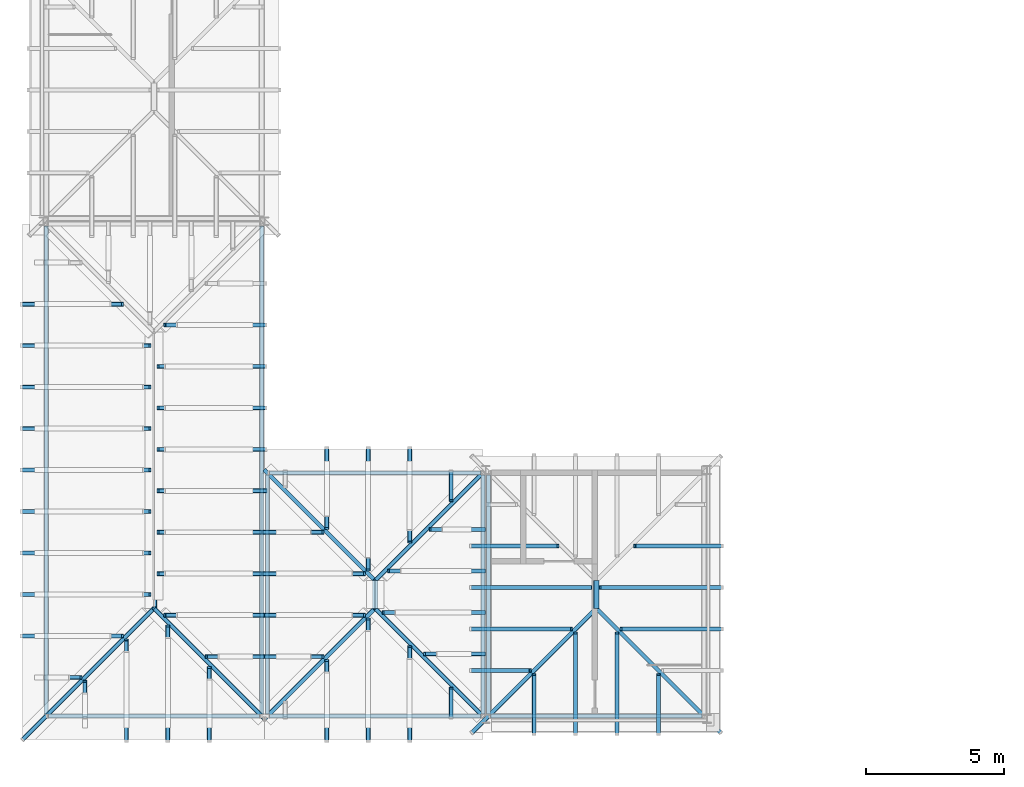
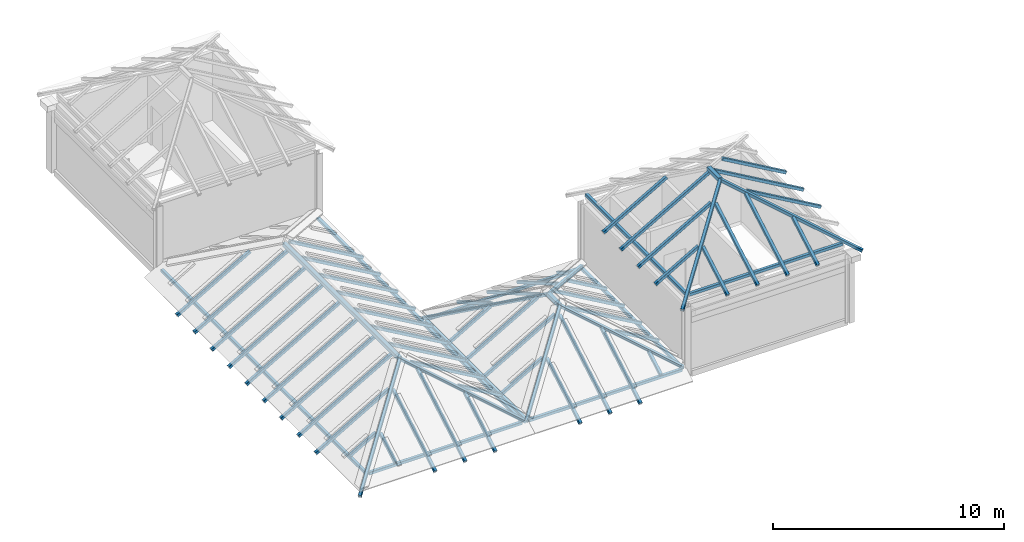
# One storey, part 15 of 111: 70 members.
"""IFC4 building model written with IfcOpenShell, lengths in metres."""

from ifc_helpers import new_model, si_unit, direction, frame, origin, origin_2d, place, context, subcontext, project, spatial, hollow_rectangle, extrude, material, material_profile, profile_set, type_object, element, save


model = new_model("IFC4")

# Units and contexts
model_context = context("Model", 3, precision=1e-05, world=origin(), true_north=direction((0.0, 1.0)))
body_context = subcontext(model_context, "Body", "Model", "MODEL_VIEW")
ifc_project = project(units=[si_unit("LENGTHUNIT", "METRE"), si_unit("AREAUNIT", "SQUARE_METRE"), si_unit("VOLUMEUNIT", "CUBIC_METRE"), si_unit("PLANEANGLEUNIT", "RADIAN"), si_unit("MASSUNIT", "GRAM", prefix="KILO")], contexts=[model_context])

# Site, building, storey
site_placement = place(None, origin())
site = spatial("IfcSite", under=ifc_project, at=site_placement, CompositionType="ELEMENT")
building_placement = place(site_placement, origin())
building = spatial("IfcBuilding", under=site, at=building_placement, Name="Kallimachos Central Library", CompositionType="ELEMENT")
storey_placement = place(building_placement, frame((0.0, 0.0, 14.39990234375)))
storey = spatial("IfcBuildingStorey", under=building, at=storey_placement, Name="L03", CompositionType="ELEMENT", Elevation=14.39990234375)

# Members
ifc_material_1 = material(Name="Steel S355J2H", Category="steel")
ifc_material_profile_1 = material_profile(ifc_material_1, hollow_rectangle(XDim=0.14990234375, YDim=0.14990234375, WallThickness=0.010009765625, InnerFilletRadius=0.010009765625, OuterFilletRadius=0.014892578125, at=origin_2d()), Name="SHS 150x150x10")
ifc_profile_set_1 = profile_set([ifc_material_profile_1], Name="Steel S355J2H")
member_type_1 = type_object("IfcMemberType", Name="SHS 150x150x10 eaves bearer", PredefinedType="STRINGER", material=ifc_profile_set_1)
member_1_placement = place(storey_placement, frame((6.175048828125, 9.10009765625, 0.22509765625), z_axis=(1.0, 0.0, 0.0), x_axis=(0.0, 1.0, 0.0)))
element("IfcMember", 1, at=member_1_placement, inside=storey, type_object=member_type_1, Name="R2 eaves bearer S", PredefinedType="STRINGER", context=body_context, shape_type="SweptSolid", body=[
    extrude(hollow_rectangle(XDim=0.14990234375, YDim=0.14990234375, WallThickness=0.010009765625, InnerFilletRadius=0.010009765625, OuterFilletRadius=0.014892578125, at=origin_2d()), origin(), (0.0, 0.0, 1.0), 7.64990234375),
])
for number, where, z_axis, x_axis, name in (
    (2, (6.10009765625, 9.175048828125, 0.22509765625), (0.0, 1.0, 0.0), (-1.0, 0.0, 0.0), "R2 eaves bearer W"),
    (3, (13.89990234375, 9.175048828125, 0.22509765625), (0.0, 1.0, 0.0), (-1.0, 0.0, 0.0), "R2 eaves bearer E"),
):
    element("IfcMember", number, at=place(storey_placement, frame(where, z_axis=z_axis, x_axis=x_axis)), inside=storey, type_object=member_type_1, Name=name, PredefinedType="STRINGER", context=body_context, shape_type="SweptSolid", body=[
        extrude(hollow_rectangle(XDim=0.14990234375, YDim=0.14990234375, WallThickness=0.010009765625, InnerFilletRadius=0.010009765625, OuterFilletRadius=0.014892578125, at=origin_2d()), origin(), (0.0, 0.0, 1.0), 17.64990234375),
    ])
for number, where, z_axis, x_axis, name in (
    (4, (14.175048828125, 9.10009765625, 0.22509765625), (1.0, 0.0, 0.0), (0.0, 1.0, 0.0), "R1 eaves bearer S"),
    (5, (14.175048828125, 17.89990234375, 0.22509765625), (1.0, 0.0, 0.0), (0.0, 1.0, 0.0), "R1 eaves bearer N"),
):
    element("IfcMember", number, at=place(storey_placement, frame(where, z_axis=z_axis, x_axis=x_axis)), inside=storey, type_object=member_type_1, Name=name, PredefinedType="STRINGER", context=body_context, shape_type="SweptSolid", body=[
        extrude(hollow_rectangle(XDim=0.14990234375, YDim=0.14990234375, WallThickness=0.010009765625, InnerFilletRadius=0.010009765625, OuterFilletRadius=0.014892578125, at=origin_2d()), origin(), (0.0, 0.0, 1.0), 7.64990234375),
    ])
for number, where, z_axis, x_axis, name in (
    (6, (14.10009765625, 9.175048828125, 0.22509765625), (0.0, 1.0, 0.0), (-1.0, 0.0, 0.0), "R1 eaves bearer W"),
    (7, (21.89990234375, 9.175048828125, 0.22509765625), (0.0, 1.0, 0.0), (-1.0, 0.0, 0.0), "R1 eaves bearer E"),
):
    element("IfcMember", number, at=place(storey_placement, frame(where, z_axis=z_axis, x_axis=x_axis)), inside=storey, type_object=member_type_1, Name=name, PredefinedType="STRINGER", context=body_context, shape_type="SweptSolid", body=[
        extrude(hollow_rectangle(XDim=0.14990234375, YDim=0.14990234375, WallThickness=0.010009765625, InnerFilletRadius=0.010009765625, OuterFilletRadius=0.014892578125, at=origin_2d()), origin(), (0.0, 0.0, 1.0), 8.64990234375),
    ])
member_2_placement = place(storey_placement, frame((22.175048828125, 9.10009765625, 4.0751953125), z_axis=(1.0, 0.0, 0.0), x_axis=(0.0, 1.0, 0.0)))
element("IfcMember", 8, at=member_2_placement, inside=storey, type_object=member_type_1, Name="R3 eaves bearer S", PredefinedType="STRINGER", context=body_context, shape_type="SweptSolid", body=[
    extrude(hollow_rectangle(XDim=0.14990234375, YDim=0.14990234375, WallThickness=0.010009765625, InnerFilletRadius=0.010009765625, OuterFilletRadius=0.014892578125, at=origin_2d()), origin(), (0.0, 0.0, 1.0), 7.64990234375),
])
member_3_placement = place(storey_placement, frame((22.10009765625, 9.175048828125, 4.0751953125), z_axis=(0.0, 1.0, 0.0), x_axis=(-1.0, 0.0, 0.0)))
element("IfcMember", 9, at=member_3_placement, inside=storey, type_object=member_type_1, Name="R3 eaves bearer W", PredefinedType="STRINGER", context=body_context, shape_type="SweptSolid", body=[
    extrude(hollow_rectangle(XDim=0.14990234375, YDim=0.14990234375, WallThickness=0.010009765625, InnerFilletRadius=0.010009765625, OuterFilletRadius=0.014892578125, at=origin_2d()), origin(), (0.0, 0.0, 1.0), 8.64990234375),
])
ifc_material_2 = material(Name="Steel S355J2H", Category="steel")
ifc_material_profile_2 = material_profile(ifc_material_2, hollow_rectangle(XDim=0.14990234375, YDim=0.14990234375, WallThickness=0.010009765625, InnerFilletRadius=0.010009765625, OuterFilletRadius=0.014892578125, at=origin_2d()), Name="SHS 150x150x10")
ifc_profile_set_2 = profile_set([ifc_material_profile_2], Name="Steel S355J2H")
member_type_2 = type_object("IfcMemberType", Name="SHS 150x150x10 rafter", PredefinedType="RAFTER", material=ifc_profile_set_2)
member_4_placement = place(storey_placement, frame((7.5, 9.050048828125, 0.35791015625), z_axis=(0.0, 0.866029704776, 0.49999255039), x_axis=(-1.0, 0.0, 0.0)))
element("IfcMember", 10, at=member_4_placement, inside=storey, type_object=member_type_2, Name="R2 rafter", PredefinedType="RAFTER", context=body_context, shape_type="SweptSolid", body=[
    extrude(hollow_rectangle(XDim=0.14990234375, YDim=0.14990234375, WallThickness=0.010009765625, InnerFilletRadius=0.010009765625, OuterFilletRadius=0.014892578125, at=origin_2d()), origin(), (0.0, 0.0, 1.0), 1.5126953125),
])
member_5_placement = place(storey_placement, frame((9.0, 8.199951171875, -0.1328125), z_axis=(0.0, 0.866041293005, 0.499972478052), x_axis=(-1.0, 0.0, 0.0)))
element("IfcMember", 11, at=member_5_placement, inside=storey, type_object=member_type_2, Name="R2 rafter", PredefinedType="RAFTER", context=body_context, shape_type="SweptSolid", body=[
    extrude(hollow_rectangle(XDim=0.14990234375, YDim=0.14990234375, WallThickness=0.010009765625, InnerFilletRadius=0.010009765625, OuterFilletRadius=0.014892578125, at=origin_2d()), origin(), (0.0, 0.0, 1.0), 4.226318359375),
])
member_6_placement = place(storey_placement, frame((10.5, 8.199951171875, -0.1328125), z_axis=(0.0, 0.866048479775, 0.499960029081), x_axis=(-1.0, 0.0, 0.0)))
element("IfcMember", 12, at=member_6_placement, inside=storey, type_object=member_type_2, Name="R2 rafter", PredefinedType="RAFTER", context=body_context, shape_type="SweptSolid", body=[
    extrude(hollow_rectangle(XDim=0.14990234375, YDim=0.14990234375, WallThickness=0.010009765625, InnerFilletRadius=0.010009765625, OuterFilletRadius=0.014892578125, at=origin_2d()), origin(), (0.0, 0.0, 1.0), 4.8037109375),
])
member_7_placement = place(storey_placement, frame((12.0, 8.199951171875, -0.1328125), z_axis=(0.0, 0.866053230054, 0.499951800389), x_axis=(-1.0, 0.0, 0.0)))
element("IfcMember", 13, at=member_7_placement, inside=storey, type_object=member_type_2, Name="R2 rafter", PredefinedType="RAFTER", context=body_context, shape_type="SweptSolid", body=[
    extrude(hollow_rectangle(XDim=0.14990234375, YDim=0.14990234375, WallThickness=0.010009765625, InnerFilletRadius=0.010009765625, OuterFilletRadius=0.014892578125, at=origin_2d()), origin(), (0.0, 0.0, 1.0), 3.071533203125),
])
member_8_placement = place(storey_placement, frame((6.050048828125, 10.5, 0.35791015625), z_axis=(0.866029704776, 0.0, 0.49999255039), x_axis=(0.0, 1.0, 0.0)))
element("IfcMember", 14, at=member_8_placement, inside=storey, type_object=member_type_2, Name="R2 rafter", PredefinedType="RAFTER", context=body_context, shape_type="SweptSolid", body=[
    extrude(hollow_rectangle(XDim=0.14990234375, YDim=0.14990234375, WallThickness=0.010009765625, InnerFilletRadius=0.010009765625, OuterFilletRadius=0.014892578125, at=origin_2d()), origin(), (0.0, 0.0, 1.0), 1.5126953125),
])
member_9_placement = place(storey_placement, frame((5.199951171875, 12.0, -0.1328125), z_axis=(0.866041293005, 0.0, 0.499972478052), x_axis=(0.0, 1.0, 0.0)))
element("IfcMember", 15, at=member_9_placement, inside=storey, type_object=member_type_2, Name="R2 rafter", PredefinedType="RAFTER", context=body_context, shape_type="SweptSolid", body=[
    extrude(hollow_rectangle(XDim=0.14990234375, YDim=0.14990234375, WallThickness=0.010009765625, InnerFilletRadius=0.010009765625, OuterFilletRadius=0.014892578125, at=origin_2d()), origin(), (0.0, 0.0, 1.0), 4.226318359375),
])
for number, where, z_axis, x_axis, name in (
    (16, (5.199951171875, 13.5, -0.1328125), (0.866034478908, 0.0, 0.499984281096), (0.0, 1.0, 0.0), "R2 rafter"),
    (17, (5.199951171875, 15.0, -0.1328125), (0.866034478908, 0.0, 0.499984281096), (0.0, 1.0, 0.0), "R2 rafter"),
    (18, (5.199951171875, 16.5, -0.1328125), (0.866034478908, 0.0, 0.499984281096), (0.0, 1.0, 0.0), "R2 rafter"),
    (19, (5.199951171875, 18.0, -0.1328125), (0.866034478908, 0.0, 0.499984281096), (0.0, 1.0, 0.0), "R2 rafter"),
    (20, (5.199951171875, 19.5, -0.1328125), (0.866034478908, 0.0, 0.499984281096), (0.0, 1.0, 0.0), "R2 rafter"),
    (21, (5.199951171875, 21.0, -0.1328125), (0.866034478908, 0.0, 0.499984281096), (0.0, 1.0, 0.0), "R2 rafter"),
    (22, (5.199951171875, 22.5, -0.1328125), (0.866034478908, 0.0, 0.499984281096), (0.0, 1.0, 0.0), "R2 rafter"),
):
    element("IfcMember", number, at=place(storey_placement, frame(where, z_axis=z_axis, x_axis=x_axis)), inside=storey, type_object=member_type_2, Name=name, PredefinedType="RAFTER", context=body_context, shape_type="SweptSolid", body=[
        extrude(hollow_rectangle(XDim=0.14990234375, YDim=0.14990234375, WallThickness=0.010009765625, InnerFilletRadius=0.010009765625, OuterFilletRadius=0.014892578125, at=origin_2d()), origin(), (0.0, 0.0, 1.0), 5.381103515625),
    ])
member_10_placement = place(storey_placement, frame((5.199951171875, 24.0, -0.1328125), z_axis=(0.866041293005, 0.0, 0.499972478052), x_axis=(0.0, 1.0, 0.0)))
element("IfcMember", 23, at=member_10_placement, inside=storey, type_object=member_type_2, Name="R2 rafter", PredefinedType="RAFTER", context=body_context, shape_type="SweptSolid", body=[
    extrude(hollow_rectangle(XDim=0.14990234375, YDim=0.14990234375, WallThickness=0.010009765625, InnerFilletRadius=0.010009765625, OuterFilletRadius=0.014892578125, at=origin_2d()), origin(), (0.0, 0.0, 1.0), 4.226318359375),
])
member_11_placement = place(storey_placement, frame((14.050048828125, 11.25, 0.300048828125), z_axis=(-0.866042152399, 0.0, 0.499970989427), x_axis=(0.0, -1.0, 0.0)))
element("IfcMember", 24, at=member_11_placement, inside=storey, type_object=member_type_2, Name="R2 rafter", PredefinedType="RAFTER", context=body_context, shape_type="SweptSolid", body=[
    extrude(hollow_rectangle(XDim=0.14990234375, YDim=0.14990234375, WallThickness=0.010009765625, InnerFilletRadius=0.010009765625, OuterFilletRadius=0.014892578125, at=origin_2d()), origin(), (0.0, 0.0, 1.0), 2.494384765625),
])
member_12_placement = place(storey_placement, frame((14.050048828125, 12.75, 0.300048828125), z_axis=(-0.866041293005, 0.0, 0.499972478052), x_axis=(0.0, -1.0, 0.0)))
element("IfcMember", 25, at=member_12_placement, inside=storey, type_object=member_type_2, Name="R2 rafter", PredefinedType="RAFTER", context=body_context, shape_type="SweptSolid", body=[
    extrude(hollow_rectangle(XDim=0.14990234375, YDim=0.14990234375, WallThickness=0.010009765625, InnerFilletRadius=0.010009765625, OuterFilletRadius=0.014892578125, at=origin_2d()), origin(), (0.0, 0.0, 1.0), 4.226318359375),
])
for number, where, z_axis, x_axis, name in (
    (26, (14.050048828125, 14.25, 0.300048828125), (-0.866021702275, 0.0, 0.500006411147), (0.0, -1.0, 0.0), "R2 rafter"),
    (27, (14.050048828125, 15.75, 0.300048828125), (-0.866021702275, 0.0, 0.500006411147), (0.0, -1.0, 0.0), "R2 rafter"),
    (28, (14.050048828125, 17.25, 0.300048828125), (-0.866021702275, 0.0, 0.500006411147), (0.0, -1.0, 0.0), "R2 rafter"),
    (29, (14.050048828125, 18.75, 0.300048828125), (-0.866021702275, 0.0, 0.500006411147), (0.0, -1.0, 0.0), "R2 rafter"),
    (30, (14.050048828125, 20.25, 0.300048828125), (-0.866021702275, 0.0, 0.500006411147), (0.0, -1.0, 0.0), "R2 rafter"),
    (31, (14.050048828125, 21.75, 0.300048828125), (-0.866021702275, 0.0, 0.500006411147), (0.0, -1.0, 0.0), "R2 rafter"),
):
    element("IfcMember", number, at=place(storey_placement, frame(where, z_axis=z_axis, x_axis=x_axis)), inside=storey, type_object=member_type_2, Name=name, PredefinedType="RAFTER", context=body_context, shape_type="SweptSolid", body=[
        extrude(hollow_rectangle(XDim=0.14990234375, YDim=0.14990234375, WallThickness=0.010009765625, InnerFilletRadius=0.010009765625, OuterFilletRadius=0.014892578125, at=origin_2d()), origin(), (0.0, 0.0, 1.0), 4.51513671875),
    ])
member_13_placement = place(storey_placement, frame((14.050048828125, 23.25, 0.300048828125), z_axis=(-0.866041293005, 0.0, 0.499972478052), x_axis=(0.0, -1.0, 0.0)))
element("IfcMember", 32, at=member_13_placement, inside=storey, type_object=member_type_2, Name="R2 rafter", PredefinedType="RAFTER", context=body_context, shape_type="SweptSolid", body=[
    extrude(hollow_rectangle(XDim=0.14990234375, YDim=0.14990234375, WallThickness=0.010009765625, InnerFilletRadius=0.010009765625, OuterFilletRadius=0.014892578125, at=origin_2d()), origin(), (0.0, 0.0, 1.0), 4.226318359375),
])
member_14_placement = place(storey_placement, frame((16.25, 8.199951171875, -0.1328125), z_axis=(0.0, 0.86605734139, 0.499944678364), x_axis=(-1.0, 0.0, 0.0)))
element("IfcMember", 33, at=member_14_placement, inside=storey, type_object=member_type_2, Name="R1 rafter", PredefinedType="RAFTER", context=body_context, shape_type="SweptSolid", body=[
    extrude(hollow_rectangle(XDim=0.14990234375, YDim=0.14990234375, WallThickness=0.010009765625, InnerFilletRadius=0.010009765625, OuterFilletRadius=0.014892578125, at=origin_2d()), origin(), (0.0, 0.0, 1.0), 3.3603515625),
])
member_15_placement = place(storey_placement, frame((17.75, 8.199951171875, -0.1328125), z_axis=(0.0, 0.866051462044, 0.499954863054), x_axis=(-1.0, 0.0, 0.0)))
element("IfcMember", 34, at=member_15_placement, inside=storey, type_object=member_type_2, Name="R1 rafter", PredefinedType="RAFTER", context=body_context, shape_type="SweptSolid", body=[
    extrude(hollow_rectangle(XDim=0.14990234375, YDim=0.14990234375, WallThickness=0.010009765625, InnerFilletRadius=0.010009765625, OuterFilletRadius=0.014892578125, at=origin_2d()), origin(), (0.0, 0.0, 1.0), 5.09228515625),
])
member_16_placement = place(storey_placement, frame((19.25, 8.199951171875, -0.1328125), z_axis=(0.0, 0.866036909293, 0.499980071345), x_axis=(-1.0, 0.0, 0.0)))
element("IfcMember", 35, at=member_16_placement, inside=storey, type_object=member_type_2, Name="R1 rafter", PredefinedType="RAFTER", context=body_context, shape_type="SweptSolid", body=[
    extrude(hollow_rectangle(XDim=0.14990234375, YDim=0.14990234375, WallThickness=0.010009765625, InnerFilletRadius=0.010009765625, OuterFilletRadius=0.014892578125, at=origin_2d()), origin(), (0.0, 0.0, 1.0), 3.937744140625),
])
member_17_placement = place(storey_placement, frame((20.75, 9.050048828125, 0.35791015625), z_axis=(0.0, 0.866099232005, 0.499872103963), x_axis=(-1.0, 0.0, 0.0)))
element("IfcMember", 36, at=member_17_placement, inside=storey, type_object=member_type_2, Name="R1 rafter", PredefinedType="RAFTER", context=body_context, shape_type="SweptSolid", body=[
    extrude(hollow_rectangle(XDim=0.14990234375, YDim=0.14990234375, WallThickness=0.010009765625, InnerFilletRadius=0.010009765625, OuterFilletRadius=0.014892578125, at=origin_2d()), origin(), (0.0, 0.0, 1.0), 1.223876953125),
])
member_18_placement = place(storey_placement, frame((16.25, 18.800048828125, -0.1328125), z_axis=(0.0, -0.86605734139, 0.499944678364), x_axis=(1.0, 0.0, 0.0)))
element("IfcMember", 37, at=member_18_placement, inside=storey, type_object=member_type_2, Name="R1 rafter", PredefinedType="RAFTER", context=body_context, shape_type="SweptSolid", body=[
    extrude(hollow_rectangle(XDim=0.14990234375, YDim=0.14990234375, WallThickness=0.010009765625, InnerFilletRadius=0.010009765625, OuterFilletRadius=0.014892578125, at=origin_2d()), origin(), (0.0, 0.0, 1.0), 3.3603515625),
])
member_19_placement = place(storey_placement, frame((17.75, 18.800048828125, -0.1328125), z_axis=(0.0, -0.866051462044, 0.499954863054), x_axis=(1.0, 0.0, 0.0)))
element("IfcMember", 38, at=member_19_placement, inside=storey, type_object=member_type_2, Name="R1 rafter", PredefinedType="RAFTER", context=body_context, shape_type="SweptSolid", body=[
    extrude(hollow_rectangle(XDim=0.14990234375, YDim=0.14990234375, WallThickness=0.010009765625, InnerFilletRadius=0.010009765625, OuterFilletRadius=0.014892578125, at=origin_2d()), origin(), (0.0, 0.0, 1.0), 5.09228515625),
])
member_20_placement = place(storey_placement, frame((19.25, 18.800048828125, -0.1328125), z_axis=(0.0, -0.866036909293, 0.499980071345), x_axis=(1.0, 0.0, 0.0)))
element("IfcMember", 39, at=member_20_placement, inside=storey, type_object=member_type_2, Name="R1 rafter", PredefinedType="RAFTER", context=body_context, shape_type="SweptSolid", body=[
    extrude(hollow_rectangle(XDim=0.14990234375, YDim=0.14990234375, WallThickness=0.010009765625, InnerFilletRadius=0.010009765625, OuterFilletRadius=0.014892578125, at=origin_2d()), origin(), (0.0, 0.0, 1.0), 3.937744140625),
])
member_21_placement = place(storey_placement, frame((20.75, 17.949951171875, 0.35791015625), z_axis=(0.0, -0.866099232005, 0.499872103963), x_axis=(1.0, 0.0, 0.0)))
element("IfcMember", 40, at=member_21_placement, inside=storey, type_object=member_type_2, Name="R1 rafter", PredefinedType="RAFTER", context=body_context, shape_type="SweptSolid", body=[
    extrude(hollow_rectangle(XDim=0.14990234375, YDim=0.14990234375, WallThickness=0.010009765625, InnerFilletRadius=0.010009765625, OuterFilletRadius=0.014892578125, at=origin_2d()), origin(), (0.0, 0.0, 1.0), 1.223876953125),
])
member_22_placement = place(storey_placement, frame((13.949951171875, 11.25, 0.300048828125), z_axis=(0.866042152399, 0.0, 0.499970989427), x_axis=(0.0, 1.0, 0.0)))
element("IfcMember", 41, at=member_22_placement, inside=storey, type_object=member_type_2, Name="R1 rafter", PredefinedType="RAFTER", context=body_context, shape_type="SweptSolid", body=[
    extrude(hollow_rectangle(XDim=0.14990234375, YDim=0.14990234375, WallThickness=0.010009765625, InnerFilletRadius=0.010009765625, OuterFilletRadius=0.014892578125, at=origin_2d()), origin(), (0.0, 0.0, 1.0), 2.494384765625),
])
for number, where, z_axis, x_axis, name in (
    (42, (13.949951171875, 12.75, 0.300048828125), (0.866041293005, 0.0, 0.499972478052), (0.0, 1.0, 0.0), "R1 rafter"),
    (43, (13.949951171875, 14.25, 0.300048828125), (0.866041293005, 0.0, 0.499972478052), (0.0, 1.0, 0.0), "R1 rafter"),
):
    element("IfcMember", number, at=place(storey_placement, frame(where, z_axis=z_axis, x_axis=x_axis)), inside=storey, type_object=member_type_2, Name=name, PredefinedType="RAFTER", context=body_context, shape_type="SweptSolid", body=[
        extrude(hollow_rectangle(XDim=0.14990234375, YDim=0.14990234375, WallThickness=0.010009765625, InnerFilletRadius=0.010009765625, OuterFilletRadius=0.014892578125, at=origin_2d()), origin(), (0.0, 0.0, 1.0), 4.226318359375),
    ])
member_23_placement = place(storey_placement, frame((13.949951171875, 15.75, 0.300048828125), z_axis=(0.866042152399, 0.0, 0.499970989427), x_axis=(0.0, 1.0, 0.0)))
element("IfcMember", 44, at=member_23_placement, inside=storey, type_object=member_type_2, Name="R1 rafter", PredefinedType="RAFTER", context=body_context, shape_type="SweptSolid", body=[
    extrude(hollow_rectangle(XDim=0.14990234375, YDim=0.14990234375, WallThickness=0.010009765625, InnerFilletRadius=0.010009765625, OuterFilletRadius=0.014892578125, at=origin_2d()), origin(), (0.0, 0.0, 1.0), 2.494384765625),
])
member_24_placement = place(storey_placement, frame((21.949951171875, 11.35009765625, 0.35791015625), z_axis=(-0.866017682129, 0.0, 0.500013374061), x_axis=(0.0, -1.0, 0.0)))
element("IfcMember", 45, at=member_24_placement, inside=storey, type_object=member_type_2, Name="R1 rafter", PredefinedType="RAFTER", context=body_context, shape_type="SweptSolid", body=[
    extrude(hollow_rectangle(XDim=0.14990234375, YDim=0.14990234375, WallThickness=0.010009765625, InnerFilletRadius=0.010009765625, OuterFilletRadius=0.014892578125, at=origin_2d()), origin(), (0.0, 0.0, 1.0), 2.494140625),
])
member_25_placement = place(storey_placement, frame((21.949951171875, 12.85009765625, 0.35791015625), z_axis=(-0.866026851788, 0.0, 0.499997491977), x_axis=(0.0, -1.0, 0.0)))
element("IfcMember", 46, at=member_25_placement, inside=storey, type_object=member_type_2, Name="R1 rafter", PredefinedType="RAFTER", context=body_context, shape_type="SweptSolid", body=[
    extrude(hollow_rectangle(XDim=0.14990234375, YDim=0.14990234375, WallThickness=0.010009765625, InnerFilletRadius=0.010009765625, OuterFilletRadius=0.014892578125, at=origin_2d()), origin(), (0.0, 0.0, 1.0), 4.22607421875),
])
member_26_placement = place(storey_placement, frame((21.949951171875, 14.35009765625, 0.35791015625), z_axis=(-0.866030907973, 0.0, 0.499990466345), x_axis=(0.0, -1.0, 0.0)))
element("IfcMember", 47, at=member_26_placement, inside=storey, type_object=member_type_2, Name="R1 rafter", PredefinedType="RAFTER", context=body_context, shape_type="SweptSolid", body=[
    extrude(hollow_rectangle(XDim=0.14990234375, YDim=0.14990234375, WallThickness=0.010009765625, InnerFilletRadius=0.010009765625, OuterFilletRadius=0.014892578125, at=origin_2d()), origin(), (0.0, 0.0, 1.0), 3.9951171875),
])
member_27_placement = place(storey_placement, frame((21.949951171875, 15.85009765625, 0.35791015625), z_axis=(-0.866023907196, 0.0, 0.500002592159), x_axis=(0.0, -1.0, 0.0)))
element("IfcMember", 48, at=member_27_placement, inside=storey, type_object=member_type_2, Name="R1 rafter", PredefinedType="RAFTER", context=body_context, shape_type="SweptSolid", body=[
    extrude(hollow_rectangle(XDim=0.14990234375, YDim=0.14990234375, WallThickness=0.010009765625, InnerFilletRadius=0.010009765625, OuterFilletRadius=0.014892578125, at=origin_2d()), origin(), (0.0, 0.0, 1.0), 2.26318359375),
])
member_28_placement = place(storey_placement, frame((23.75, 8.449951171875, 3.861328125), z_axis=(0.0, 0.866042152399, 0.499970989427), x_axis=(-1.0, 0.0, 0.0)))
element("IfcMember", 49, at=member_28_placement, inside=storey, type_object=member_type_2, Name="R3 rafter", PredefinedType="RAFTER", context=body_context, shape_type="SweptSolid", body=[
    extrude(hollow_rectangle(XDim=0.14990234375, YDim=0.14990234375, WallThickness=0.010009765625, InnerFilletRadius=0.010009765625, OuterFilletRadius=0.014892578125, at=origin_2d()), origin(), (0.0, 0.0, 1.0), 2.494384765625),
])
for number, where, z_axis, x_axis, name in (
    (50, (25.25, 8.449951171875, 3.861328125), (0.0, 0.866016279763, 0.500015802937), (-1.0, 0.0, 0.0), "R3 rafter"),
    (51, (26.75, 8.449951171875, 3.861328125), (0.0, 0.866016279763, 0.500015802937), (-1.0, 0.0, 0.0), "R3 rafter"),
):
    element("IfcMember", number, at=place(storey_placement, frame(where, z_axis=z_axis, x_axis=x_axis)), inside=storey, type_object=member_type_2, Name=name, PredefinedType="RAFTER", context=body_context, shape_type="SweptSolid", body=[
        extrude(hollow_rectangle(XDim=0.14990234375, YDim=0.14990234375, WallThickness=0.010009765625, InnerFilletRadius=0.010009765625, OuterFilletRadius=0.014892578125, at=origin_2d()), origin(), (0.0, 0.0, 1.0), 4.226318359375),
    ])
for number, where, z_axis, x_axis, name in (
    (52, (28.25, 8.449951171875, 3.861328125), (0.0, 0.866042152399, 0.499970989427), (-1.0, 0.0, 0.0), "R3 rafter"),
    (53, (21.449951171875, 10.75, 3.861328125), (0.866042152399, 0.0, 0.499970989427), (0.0, 1.0, 0.0), "R3 rafter"),
):
    element("IfcMember", number, at=place(storey_placement, frame(where, z_axis=z_axis, x_axis=x_axis)), inside=storey, type_object=member_type_2, Name=name, PredefinedType="RAFTER", context=body_context, shape_type="SweptSolid", body=[
        extrude(hollow_rectangle(XDim=0.14990234375, YDim=0.14990234375, WallThickness=0.010009765625, InnerFilletRadius=0.010009765625, OuterFilletRadius=0.014892578125, at=origin_2d()), origin(), (0.0, 0.0, 1.0), 2.494384765625),
    ])
member_29_placement = place(storey_placement, frame((21.449951171875, 12.25, 3.861328125), z_axis=(0.866016279763, 0.0, 0.500015802937), x_axis=(0.0, 1.0, 0.0)))
element("IfcMember", 54, at=member_29_placement, inside=storey, type_object=member_type_2, Name="R3 rafter", PredefinedType="RAFTER", context=body_context, shape_type="SweptSolid", body=[
    extrude(hollow_rectangle(XDim=0.14990234375, YDim=0.14990234375, WallThickness=0.010009765625, InnerFilletRadius=0.010009765625, OuterFilletRadius=0.014892578125, at=origin_2d()), origin(), (0.0, 0.0, 1.0), 4.226318359375),
])
member_30_placement = place(storey_placement, frame((21.449951171875, 13.75, 3.861328125), z_axis=(0.866030702899, 0.0, 0.499990821553), x_axis=(0.0, 1.0, 0.0)))
element("IfcMember", 55, at=member_30_placement, inside=storey, type_object=member_type_2, Name="R3 rafter", PredefinedType="RAFTER", context=body_context, shape_type="SweptSolid", body=[
    extrude(hollow_rectangle(XDim=0.14990234375, YDim=0.14990234375, WallThickness=0.010009765625, InnerFilletRadius=0.010009765625, OuterFilletRadius=0.014892578125, at=origin_2d()), origin(), (0.0, 0.0, 1.0), 5.09228515625),
])
member_31_placement = place(storey_placement, frame((21.449951171875, 15.25, 3.861328125), z_axis=(0.866031831963, 0.0, 0.499988865904), x_axis=(0.0, 1.0, 0.0)))
element("IfcMember", 56, at=member_31_placement, inside=storey, type_object=member_type_2, Name="R3 rafter", PredefinedType="RAFTER", context=body_context, shape_type="SweptSolid", body=[
    extrude(hollow_rectangle(XDim=0.14990234375, YDim=0.14990234375, WallThickness=0.010009765625, InnerFilletRadius=0.010009765625, OuterFilletRadius=0.014892578125, at=origin_2d()), origin(), (0.0, 0.0, 1.0), 3.64892578125),
])
member_32_placement = place(storey_placement, frame((30.550048828125, 12.25, 3.861328125), z_axis=(-0.866016279763, 0.0, 0.500015802937), x_axis=(0.0, -1.0, 0.0)))
element("IfcMember", 57, at=member_32_placement, inside=storey, type_object=member_type_2, Name="R3 rafter", PredefinedType="RAFTER", context=body_context, shape_type="SweptSolid", body=[
    extrude(hollow_rectangle(XDim=0.14990234375, YDim=0.14990234375, WallThickness=0.010009765625, InnerFilletRadius=0.010009765625, OuterFilletRadius=0.014892578125, at=origin_2d()), origin(), (0.0, 0.0, 1.0), 4.226318359375),
])
member_33_placement = place(storey_placement, frame((30.550048828125, 13.75, 3.861328125), z_axis=(-0.866030702899, 0.0, 0.499990821553), x_axis=(0.0, -1.0, 0.0)))
element("IfcMember", 58, at=member_33_placement, inside=storey, type_object=member_type_2, Name="R3 rafter", PredefinedType="RAFTER", context=body_context, shape_type="SweptSolid", body=[
    extrude(hollow_rectangle(XDim=0.14990234375, YDim=0.14990234375, WallThickness=0.010009765625, InnerFilletRadius=0.010009765625, OuterFilletRadius=0.014892578125, at=origin_2d()), origin(), (0.0, 0.0, 1.0), 5.09228515625),
])
member_34_placement = place(storey_placement, frame((30.550048828125, 15.25, 3.861328125), z_axis=(-0.866031831963, 0.0, 0.499988865904), x_axis=(0.0, -1.0, 0.0)))
element("IfcMember", 59, at=member_34_placement, inside=storey, type_object=member_type_2, Name="R3 rafter", PredefinedType="RAFTER", context=body_context, shape_type="SweptSolid", body=[
    extrude(hollow_rectangle(XDim=0.14990234375, YDim=0.14990234375, WallThickness=0.010009765625, InnerFilletRadius=0.010009765625, OuterFilletRadius=0.014892578125, at=origin_2d()), origin(), (0.0, 0.0, 1.0), 3.64892578125),
])
ifc_material_3 = material(Name="Steel S355J2H", Category="steel")
ifc_material_profile_3 = material_profile(ifc_material_3, hollow_rectangle(XDim=0.14990234375, YDim=0.14990234375, WallThickness=0.010009765625, InnerFilletRadius=0.010009765625, OuterFilletRadius=0.014892578125, at=origin_2d()), Name="SHS 150x150x10")
ifc_profile_set_3 = profile_set([ifc_material_profile_3], Name="Steel S355J2H")
member_type_3 = type_object("IfcMemberType", Name="SHS 200x200x10 hip rafter", PredefinedType="RAFTER", material=ifc_profile_set_3)
member_35_placement = place(storey_placement, frame((5.25, 8.25, -0.16357421875), z_axis=(0.654653061577, 0.654653061577, 0.377966583095), x_axis=(-0.707106781187, 0.707106781187, 0.0)))
element("IfcMember", 60, at=member_35_placement, inside=storey, type_object=member_type_3, Name="R2 hip", PredefinedType="RAFTER", context=body_context, shape_type="SweptSolid", body=[
    extrude(hollow_rectangle(XDim=0.14990234375, YDim=0.14990234375, WallThickness=0.010009765625, InnerFilletRadius=0.010009765625, OuterFilletRadius=0.014892578125, at=origin_2d()), origin(), (0.0, 0.0, 1.0), 7.255859375),
])
for number, where, z_axis, x_axis, name in (
    (61, (14.0, 9.0, 0.26953125), (-0.654656704043, 0.654656704043, 0.37795396506), (-0.707106781187, -0.707106781187, 0.0), "R2 hip"),
    (62, (14.0, 9.0, 0.26953125), (0.654656704043, 0.654656704043, 0.37795396506), (-0.707106781187, 0.707106781187, 0.0), "R1 hip"),
):
    element("IfcMember", number, at=place(storey_placement, frame(where, z_axis=z_axis, x_axis=x_axis)), inside=storey, type_object=member_type_3, Name=name, PredefinedType="RAFTER", context=body_context, shape_type="SweptSolid", body=[
        extrude(hollow_rectangle(XDim=0.14990234375, YDim=0.14990234375, WallThickness=0.010009765625, InnerFilletRadius=0.010009765625, OuterFilletRadius=0.014892578125, at=origin_2d()), origin(), (0.0, 0.0, 1.0), 6.110107421875),
    ])
member_36_placement = place(storey_placement, frame((21.89990234375, 9.10009765625, 0.3271484375), z_axis=(-0.65464954549, 0.65464954549, 0.377978762868), x_axis=(-0.707106781187, -0.707106781187, 0.0)))
element("IfcMember", 63, at=member_36_placement, inside=storey, type_object=member_type_3, Name="R1 hip", PredefinedType="RAFTER", context=body_context, shape_type="SweptSolid", body=[
    extrude(hollow_rectangle(XDim=0.14990234375, YDim=0.14990234375, WallThickness=0.010009765625, InnerFilletRadius=0.010009765625, OuterFilletRadius=0.014892578125, at=origin_2d()), origin(), (0.0, 0.0, 1.0), 5.957275390625),
])
member_37_placement = place(storey_placement, frame((14.0, 18.0, 0.26953125), z_axis=(0.654656704043, -0.654656704043, 0.37795396506), x_axis=(0.707106781187, 0.707106781187, 0.0)))
element("IfcMember", 64, at=member_37_placement, inside=storey, type_object=member_type_3, Name="R1 hip", PredefinedType="RAFTER", context=body_context, shape_type="SweptSolid", body=[
    extrude(hollow_rectangle(XDim=0.14990234375, YDim=0.14990234375, WallThickness=0.010009765625, InnerFilletRadius=0.010009765625, OuterFilletRadius=0.014892578125, at=origin_2d()), origin(), (0.0, 0.0, 1.0), 6.110107421875),
])
member_38_placement = place(storey_placement, frame((21.89990234375, 17.89990234375, 0.3271484375), z_axis=(-0.65464954549, -0.65464954549, 0.377978762868), x_axis=(0.707106781187, -0.707106781187, 0.0)))
element("IfcMember", 65, at=member_38_placement, inside=storey, type_object=member_type_3, Name="R1 hip", PredefinedType="RAFTER", context=body_context, shape_type="SweptSolid", body=[
    extrude(hollow_rectangle(XDim=0.14990234375, YDim=0.14990234375, WallThickness=0.010009765625, InnerFilletRadius=0.010009765625, OuterFilletRadius=0.014892578125, at=origin_2d()), origin(), (0.0, 0.0, 1.0), 5.957275390625),
])
for number, where, z_axis, x_axis, name in (
    (66, (21.5, 8.5, 3.830810546875), (0.654651211404, 0.654651211404, 0.377972992175), (-0.707106781187, 0.707106781187, 0.0), "R3 hip"),
    (67, (30.5, 8.5, 3.830810546875), (-0.654651211404, 0.654651211404, 0.377972992175), (-0.707106781187, -0.707106781187, 0.0), "R3 hip"),
):
    element("IfcMember", number, at=place(storey_placement, frame(where, z_axis=z_axis, x_axis=x_axis)), inside=storey, type_object=member_type_3, Name=name, PredefinedType="RAFTER", context=body_context, shape_type="SweptSolid", body=[
        extrude(hollow_rectangle(XDim=0.14990234375, YDim=0.14990234375, WallThickness=0.010009765625, InnerFilletRadius=0.010009765625, OuterFilletRadius=0.014892578125, at=origin_2d()), origin(), (0.0, 0.0, 1.0), 6.873779296875),
    ])
ifc_material_4 = material(Name="Steel S355J2H", Category="steel")
ifc_material_profile_4 = material_profile(ifc_material_4, hollow_rectangle(XDim=0.199951171875, YDim=0.199951171875, WallThickness=0.010009765625, InnerFilletRadius=0.010009765625, OuterFilletRadius=0.014892578125, at=origin_2d()), Name="SHS 200x200x10")
ifc_profile_set_4 = profile_set([ifc_material_profile_4], Name="Steel S355J2H")
member_type_4 = type_object("IfcMemberType", Name="SHS 200x200x10 ridge beam", PredefinedType="STRINGER", material=ifc_profile_set_4)
member_39_placement = place(storey_placement, frame((10.0, 13.0, 2.57275390625), z_axis=(0.0, 1.0, 0.0), x_axis=(-1.0, 0.0, 0.0)))
element("IfcMember", 68, at=member_39_placement, inside=storey, type_object=member_type_4, Name="R2 ridge", PredefinedType="STRINGER", context=body_context, shape_type="SweptSolid", body=[
    extrude(hollow_rectangle(XDim=0.199951171875, YDim=0.199951171875, WallThickness=0.010009765625, InnerFilletRadius=0.010009765625, OuterFilletRadius=0.014892578125, at=origin_2d()), origin(), (0.0, 0.0, 1.0), 10.0),
])
for number, where, z_axis, x_axis, name in (
    (69, (18.0, 13.0, 2.57275390625), (0.0, 1.0, 0.0), (-1.0, 0.0, 0.0), "R1 ridge"),
    (70, (26.0, 13.0, 6.422607421875), (0.0, 1.0, 0.0), (-1.0, 0.0, 0.0), "R3 ridge"),
):
    element("IfcMember", number, at=place(storey_placement, frame(where, z_axis=z_axis, x_axis=x_axis)), inside=storey, type_object=member_type_4, Name=name, PredefinedType="STRINGER", context=body_context, shape_type="SweptSolid", body=[
        extrude(hollow_rectangle(XDim=0.199951171875, YDim=0.199951171875, WallThickness=0.010009765625, InnerFilletRadius=0.010009765625, OuterFilletRadius=0.014892578125, at=origin_2d()), origin(), (0.0, 0.0, 1.0), 1.0),
    ])

save(model, "model.ifc")
